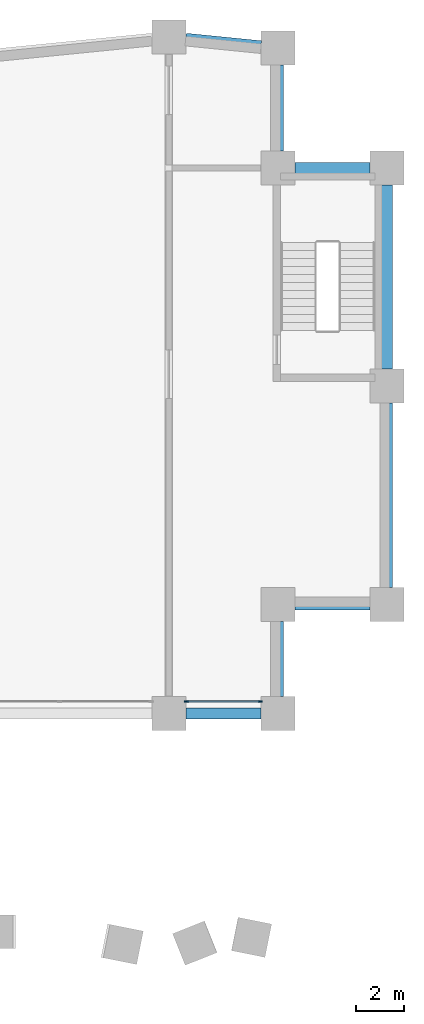
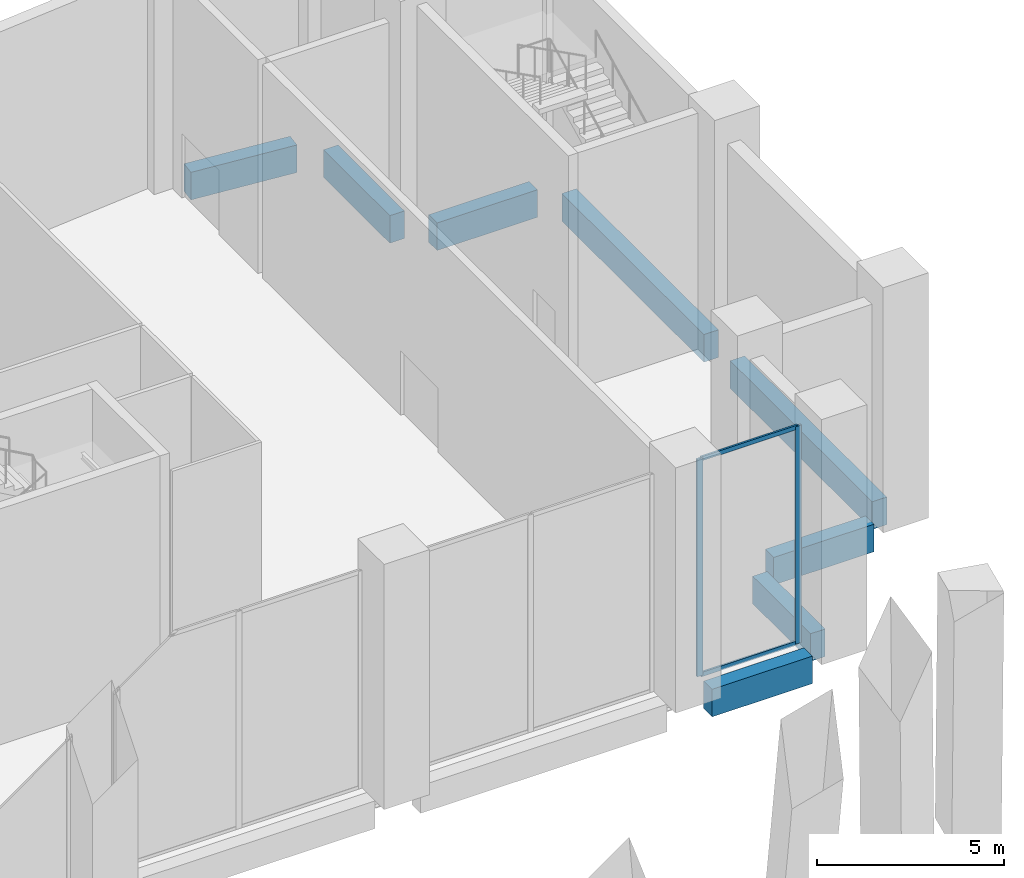
# One storey, part 8 of 19: 8 beams, 4 members, 1 element without a shape of its own.
"""IFC4 building model written with IfcOpenShell, lengths in metres."""

import ifcopenshell
import ifcopenshell.guid

model = None  # the IFC model being written
_history = None  # IfcOwnerHistory: only IFC2X3 demands one
_inside = {}  # id of a spatial element -> (the spatial element, [elements in it])
_under = {}  # id of a project, library or spatial element -> (it, [spatial elements below it])
_declared = {}  # id of a project -> (the project, [libraries it declares])
_typed = {}  # id of a type object -> (the type object, [elements of that type])
_made_of = {}  # id of a material, layer set ... -> (it, [elements and type objects made of it])


def new_model(schema):
    """Start an empty IFC model of exactly this schema.

    Asked for "IFC4X3", IfcOpenShell would pick the latest addendum, in which some entities
    have other attributes; the version numbers below select the first issue.
    IFC2X3 requires an IfcOwnerHistory on every rooted entity: one is made here for all.
    """
    global model, _history
    if schema == "IFC4X3":
        model = ifcopenshell.file(schema_version=(4, 3, 0, 0))
    else:
        model = ifcopenshell.file(schema=schema)
    _inside.clear()
    _under.clear()
    _declared.clear()
    _typed.clear()
    _made_of.clear()
    _history = None
    if model.schema == "IFC2X3":
        org = make("IfcOrganization", Name="unknown")
        user = make(
            "IfcPersonAndOrganization",
            ThePerson=make("IfcPerson", FamilyName="unknown"),
            TheOrganization=org,
        )
        app = make(
            "IfcApplication",
            ApplicationDeveloper=org,
            Version="unknown",
            ApplicationFullName="unknown",
            ApplicationIdentifier="unknown",
        )
        _history = make(
            "IfcOwnerHistory",
            OwningUser=user,
            OwningApplication=app,
            ChangeAction="ADDED",
            CreationDate=0,
        )
    return model


def make(cls, **values):
    """One entity of the class cls with the attributes given. An attribute that is None is left unset."""
    return model.create_entity(
        cls, **{name: value for name, value in values.items() if value is not None}
    )


def rooted(cls, **values):
    """An entity with a GlobalId (a new one), such as an element, a storey or a relation."""
    return make(cls, GlobalId=ifcopenshell.guid.new(), OwnerHistory=_history, **values)


def si_unit(unit_type, name, prefix=None):
    """IfcSIUnit, for example si_unit("LENGTHUNIT", "METRE", prefix="MILLI")."""
    return make("IfcSIUnit", UnitType=unit_type, Prefix=prefix, Name=name)


def assignment(units):
    """IfcUnitAssignment: the units of a project."""
    return None if units is None else make("IfcUnitAssignment", Units=units)


def point(xyz):
    """IfcCartesianPoint."""
    return None if xyz is None else make("IfcCartesianPoint", Coordinates=xyz)


def direction(xyz):
    """IfcDirection."""
    return None if xyz is None else make("IfcDirection", DirectionRatios=xyz)


def frame(location, z_axis=None, x_axis=None):
    """IfcAxis2Placement3D, a coordinate frame: its origin and axes. An axis left out is left unset."""
    return make(
        "IfcAxis2Placement3D",
        Location=point(location),
        Axis=direction(z_axis),
        RefDirection=direction(x_axis),
    )


def frame_2d(location, x_axis=None):
    """IfcAxis2Placement2D, a coordinate frame in the plane: its origin and x axis."""
    return make(
        "IfcAxis2Placement2D", Location=point(location), RefDirection=direction(x_axis)
    )


def origin():
    """The frame at (0, 0, 0) with its axes left unset."""
    return frame((0.0, 0.0, 0.0))


def origin_2d():
    """The frame at (0, 0) in the plane with its x axis left unset."""
    return frame_2d((0.0, 0.0))


def place(relative_to, where):
    """IfcLocalPlacement: puts the frame where relative to a parent placement (None: the world)."""
    return make(
        "IfcLocalPlacement", PlacementRelTo=relative_to, RelativePlacement=where
    )


def context(
    kind, dimensions, precision=None, world=None, true_north=None, identifier=None
):
    """IfcGeometricRepresentationContext, for example the 3D "Model" context."""
    return make(
        "IfcGeometricRepresentationContext",
        ContextIdentifier=identifier,
        ContextType=kind,
        CoordinateSpaceDimension=dimensions,
        Precision=precision,
        WorldCoordinateSystem=world,
        TrueNorth=true_north,
    )


def subcontext(parent, identifier, kind, view, scale=None):
    """IfcGeometricRepresentationSubContext, for example "Body" below "Model"."""
    return make(
        "IfcGeometricRepresentationSubContext",
        ContextIdentifier=identifier,
        ContextType=kind,
        ParentContext=parent,
        TargetScale=scale,
        TargetView=view,
    )


def project(units=None, contexts=None):
    """IfcProject with its units and contexts."""
    return rooted(
        "IfcProject",
        Name="project",
        RepresentationContexts=contexts,
        UnitsInContext=assignment(units),
    )


def spatial(cls, under=None, at=None, **own):
    """A site, building, storey or space (cls), placed at a placement, below another one or the project."""
    s = rooted(cls, ObjectPlacement=at, **own)
    if under is not None:
        _under.setdefault(under.id(), (under, []))[1].append(s)
    return s


def profile(cls, at=None, kind="AREA", **sizes):
    """A parametric profile (cls). Its sizes go by their IFC names, for example OverallWidth=200.0."""
    return make(cls, ProfileType=kind, Position=at, **sizes)


def rectangle(**sizes):
    """IfcRectangleProfileDef."""
    return profile("IfcRectangleProfileDef", **sizes)


def extrude(swept, where, along, depth):
    """IfcExtrudedAreaSolid: the profile swept, set in the frame where, extruded along a direction by depth."""
    return make(
        "IfcExtrudedAreaSolid",
        SweptArea=swept,
        Position=where,
        ExtrudedDirection=direction(along),
        Depth=depth,
    )


def shape(context_of_items, identifier, shape_type, items):
    """IfcShapeRepresentation: the items that make up one representation, for example the "Body"."""
    return make(
        "IfcShapeRepresentation",
        ContextOfItems=context_of_items,
        RepresentationIdentifier=identifier,
        RepresentationType=shape_type,
        Items=items,
    )


def material(Name=None, Category=None):
    """IfcMaterial."""
    return make("IfcMaterial", Name=Name, Category=Category)


def material_profile(
    of_material, cross_section, Name=None, Category=None, Priority=None
):
    """IfcMaterialProfile: a cross section and its material."""
    return make(
        "IfcMaterialProfile",
        Name=Name,
        Material=of_material,
        Profile=cross_section,
        Priority=Priority,
        Category=Category,
    )


def profile_set(profiles, Name=None, composite=None):
    """IfcMaterialProfileSet."""
    return make(
        "IfcMaterialProfileSet",
        Name=Name,
        MaterialProfiles=profiles,
        CompositeProfile=composite,
    )


def made_of(thing, what):
    """Note that an element or type object is made of a material, layer set ...; save() writes the relation."""
    if what is not None:
        _made_of.setdefault(what.id(), (what, []))[1].append(thing)
    return thing


def type_object(cls, material=None, **own):
    """A type object (cls), such as IfcWallType, which elements share."""
    return made_of(rooted(cls, **own), material)


def element(
    cls,
    number,
    at=None,
    inside=None,
    cuts=None,
    type_object=None,
    material=None,
    context=None,
    identifier="Body",
    shape_type=None,
    held_by="IfcProductDefinitionShape",
    body=None,
    shapes=None,
    **own,
):
    """One element of the class cls, such as IfcWall. Its Tag is "e" and its number.

    at: its placement. inside: the storey or other place that contains it. cuts: it is an
    opening in that element (IfcRelVoidsElement). A single representation is given by context,
    identifier, shape_type and body (its items); several are given by shapes. held_by: the class
    of the entity that holds the representations. save() writes the other relations.
    """
    e = rooted(cls, Tag="e%d" % number, ObjectPlacement=at, **own)
    if body is not None:
        shapes = [shape(context, identifier, shape_type, body)]
    if shapes is not None:
        e.Representation = make(held_by, Representations=shapes)
    if inside is not None:
        _inside.setdefault(inside.id(), (inside, []))[1].append(e)
    if cuts is not None:
        rooted(
            "IfcRelVoidsElement", RelatingBuildingElement=cuts, RelatedOpeningElement=e
        )
    if type_object is not None:
        _typed.setdefault(type_object.id(), (type_object, []))[1].append(e)
    return made_of(e, material)


def aggregate(whole, parts):
    """IfcRelAggregates: a whole, such as a stair, and the parts it consists of."""
    return rooted("IfcRelAggregates", RelatingObject=whole, RelatedObjects=parts)


def save(model, path):
    """Write the relations noted so far, then the file.

    IfcRelAggregates (storeys below a building ...), IfcRelContainedInSpatialStructure (elements
    in a storey), IfcRelDefinesByType, IfcRelAssociatesMaterial and IfcRelDeclares: one each for
    every whole, place, type object, material and project.
    """
    for whole, parts in _under.values():
        aggregate(whole, parts)
    for where, things in _inside.values():
        rooted(
            "IfcRelContainedInSpatialStructure",
            RelatedElements=things,
            RelatingStructure=where,
        )
    for kind, things in _typed.values():
        rooted("IfcRelDefinesByType", RelatedObjects=things, RelatingType=kind)
    for what, things in _made_of.values():
        rooted("IfcRelAssociatesMaterial", RelatedObjects=things, RelatingMaterial=what)
    for by, libraries in _declared.values():
        rooted("IfcRelDeclares", RelatingContext=by, RelatedDefinitions=libraries)
    model.write(path)


model = new_model("IFC4")

# Units and contexts
model_context = context("Model", 3, precision=1e-05, world=origin(), true_north=direction((0.0, 1.0)))
body_context = subcontext(model_context, "Body", "Model", "MODEL_VIEW")
ifc_project = project(units=[si_unit("LENGTHUNIT", "METRE"), si_unit("AREAUNIT", "SQUARE_METRE"), si_unit("VOLUMEUNIT", "CUBIC_METRE"), si_unit("PLANEANGLEUNIT", "RADIAN"), si_unit("MASSUNIT", "GRAM", prefix="KILO")], contexts=[model_context])

# Site, building, storey
site_placement = place(None, origin())
site = spatial("IfcSite", under=ifc_project, at=site_placement, CompositionType="ELEMENT")
building_placement = place(site_placement, origin())
building = spatial("IfcBuilding", under=site, at=building_placement, Name="Brondeck Convention Tower", CompositionType="ELEMENT")
storey_placement = place(building_placement, frame((0.0, 0.0, 19.5)))
storey = spatial("IfcBuildingStorey", under=building, at=storey_placement, Name="L03", CompositionType="ELEMENT", Elevation=19.5)

# Curtain wall, members
ifc_material_1 = material(Name="Aluminium, bronze anodised", Category="aluminium")
curtain_wall_type = type_object("IfcCurtainWallType", Name="Podium hall curtain wall", PredefinedType="NOTDEFINED", material=ifc_material_1)
curtain_wall_placement = place(storey_placement, origin())
curtain_wall = element("IfcCurtainWall", 1, at=curtain_wall_placement, inside=storey, type_object=curtain_wall_type, Name="ENV-CW2-L03-A-S-08", PredefinedType="NOTDEFINED")
ifc_material_profile_1 = material_profile(ifc_material_1, rectangle(XDim=0.06005859375, YDim=0.179931640625, at=origin_2d()), Name="CW2 mullion")
ifc_profile_set_1 = profile_set([ifc_material_profile_1], Name="Aluminium, bronze anodised")
member_type_1 = type_object("IfcMemberType", Name="CW2 mullion", PredefinedType="MULLION", material=ifc_profile_set_1)
member_1_placement = place(storey_placement, frame((66.77001953125, 36.5, 0.0), z_axis=(0.0, 0.0, 1.0), x_axis=(0.0, -1.0, 0.0)))
member_1 = element("IfcMember", 2, at=member_1_placement, type_object=member_type_1, Name="CW2 mullion 1", PredefinedType="MULLION", context=body_context, shape_type="SweptSolid", body=[
    extrude(rectangle(XDim=0.06005859375, YDim=0.179931640625, at=origin_2d()), origin(), (0.0, 0.0, 1.0), 7.10009765625),
])
member_2_placement = place(storey_placement, frame((63.72998046875, 36.5, 0.0), z_axis=(0.0, 0.0, 1.0), x_axis=(0.0, -1.0, 0.0)))
member_2 = element("IfcMember", 3, at=member_2_placement, type_object=member_type_1, Name="CW2 mullion 2", PredefinedType="MULLION", context=body_context, shape_type="SweptSolid", body=[
    extrude(rectangle(XDim=0.06005859375, YDim=0.179931640625, at=origin_2d()), origin(), (0.0, 0.0, 1.0), 7.10009765625),
])
ifc_material_profile_2 = material_profile(ifc_material_1, rectangle(XDim=0.06005859375, YDim=0.139892578125, at=origin_2d()), Name="CW2 transom")
ifc_profile_set_2 = profile_set([ifc_material_profile_2], Name="Aluminium, bronze anodised")
member_type_2 = type_object("IfcMemberType", Name="CW2 transom", PredefinedType="USERDEFINED", material=ifc_profile_set_2)
member_3_placement = place(storey_placement, frame((66.739990234375, 36.5, 0.030029296875), z_axis=(-1.0, 0.0, 0.0), x_axis=(0.0, -1.0, 0.0)))
member_3 = element("IfcMember", 4, at=member_3_placement, type_object=member_type_2, Name="CW2 transom 1.1", ObjectType="TRANSOM", PredefinedType="USERDEFINED", context=body_context, shape_type="SweptSolid", body=[
    extrude(rectangle(XDim=0.06005859375, YDim=0.139892578125, at=origin_2d()), origin(), (0.0, 0.0, 1.0), 2.97998046875),
])
member_4_placement = place(storey_placement, frame((66.739990234375, 36.5, 7.070068359375), z_axis=(-1.0, 0.0, 0.0), x_axis=(0.0, -1.0, 0.0)))
member_4 = element("IfcMember", 5, at=member_4_placement, type_object=member_type_2, Name="CW2 transom 1.2", ObjectType="TRANSOM", PredefinedType="USERDEFINED", context=body_context, shape_type="SweptSolid", body=[
    extrude(rectangle(XDim=0.06005859375, YDim=0.139892578125, at=origin_2d()), origin(), (0.0, 0.0, 1.0), 2.97998046875),
])
aggregate(curtain_wall, [member_1, member_2, member_3, member_4])

# Beams
ifc_material_2 = material(Name="Concrete C80/95", Category="concrete")
ifc_material_profile_3 = material_profile(ifc_material_2, rectangle(XDim=0.449951171875, YDim=0.89990234375, at=origin_2d()), Name="Edge beam 450x900 Concrete C80/95")
ifc_profile_set_3 = profile_set([ifc_material_profile_3], Name="Concrete C80/95")
beam_type = type_object("IfcBeamType", Name="Edge beam 450x900 Concrete C80/95", PredefinedType="BEAM", material=ifc_profile_set_3)
for number, where, z_axis, x_axis, name in (
    (6, (63.699951171875, 36.0, -0.449951171875), (1.0, 0.0, 0.0), (0.0, 1.0, 0.0), "STR-SP-L03-013"),
    (7, (67.5, 36.699951171875, -0.449951171875), (0.0, 1.0, 0.0), (-1.0, 0.0, 0.0), "STR-SP-L03-014"),
    (8, (68.199951171875, 40.5, -0.449951171875), (1.0, 0.0, 0.0), (0.0, 1.0, 0.0), "STR-SP-L03-015"),
):
    element("IfcBeam", number, at=place(storey_placement, frame(where, z_axis=z_axis, x_axis=x_axis)), inside=storey, type_object=beam_type, Name=name, PredefinedType="BEAM", context=body_context, shape_type="SweptSolid", body=[
        extrude(rectangle(XDim=0.449951171875, YDim=0.89990234375, at=origin_2d()), origin(), (0.0, 0.0, 1.0), 3.10009765625),
    ])
for number, where, z_axis, x_axis, name in (
    (9, (72.0, 41.199951171875, -0.449951171875), (0.0, 1.0, 0.0), (-1.0, 0.0, 0.0), "STR-SP-L03-016"),
    (10, (72.0, 50.199951171875, -0.449951171875), (0.0, 1.0, 0.0), (-1.0, 0.0, 0.0), "STR-SP-L03-017"),
):
    element("IfcBeam", number, at=place(storey_placement, frame(where, z_axis=z_axis, x_axis=x_axis)), inside=storey, type_object=beam_type, Name=name, PredefinedType="BEAM", context=body_context, shape_type="SweptSolid", body=[
        extrude(rectangle(XDim=0.449951171875, YDim=0.89990234375, at=origin_2d()), origin(), (0.0, 0.0, 1.0), 7.60009765625),
    ])
beam_1_placement = place(storey_placement, frame((71.300048828125, 58.5, -0.449951171875), z_axis=(-1.0, 0.0, 0.0), x_axis=(0.0, -1.0, 0.0)))
element("IfcBeam", 11, at=beam_1_placement, inside=storey, type_object=beam_type, Name="STR-SP-L03-018", PredefinedType="BEAM", context=body_context, shape_type="SweptSolid", body=[
    extrude(rectangle(XDim=0.449951171875, YDim=0.89990234375, at=origin_2d()), origin(), (0.0, 0.0, 1.0), 3.10009765625),
])
beam_2_placement = place(storey_placement, frame((67.5, 59.199951171875, -0.449951171875), z_axis=(0.0, 1.0, 0.0), x_axis=(-1.0, 0.0, 0.0)))
element("IfcBeam", 12, at=beam_2_placement, inside=storey, type_object=beam_type, Name="STR-SP-L03-019", PredefinedType="BEAM", context=body_context, shape_type="SweptSolid", body=[
    extrude(rectangle(XDim=0.449951171875, YDim=0.89990234375, at=origin_2d()), origin(), (0.0, 0.0, 1.0), 3.550048828125),
])
beam_3_placement = place(storey_placement, frame((66.800048828125, 63.52001953125, -0.449951171875), z_axis=(-0.995035638374, 0.099519236158, 0.0), x_axis=(-0.099519236158, -0.995035638374, 0.0)))
element("IfcBeam", 13, at=beam_3_placement, inside=storey, type_object=beam_type, Name="STR-SP-L03-020", PredefinedType="BEAM", context=body_context, shape_type="SweptSolid", body=[
    extrude(rectangle(XDim=0.449951171875, YDim=0.89990234375, at=origin_2d()), origin(), (0.0, 0.0, 1.0), 3.115478515625),
])

save(model, "model.ifc")
